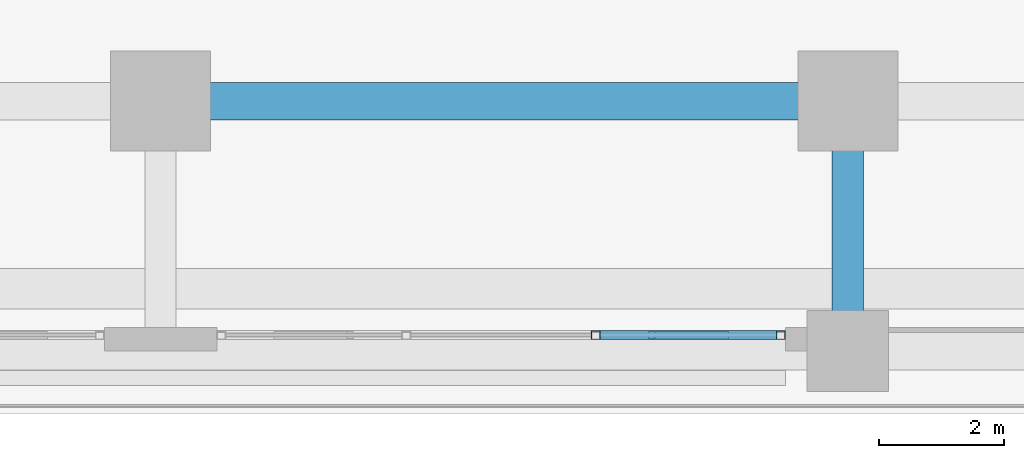
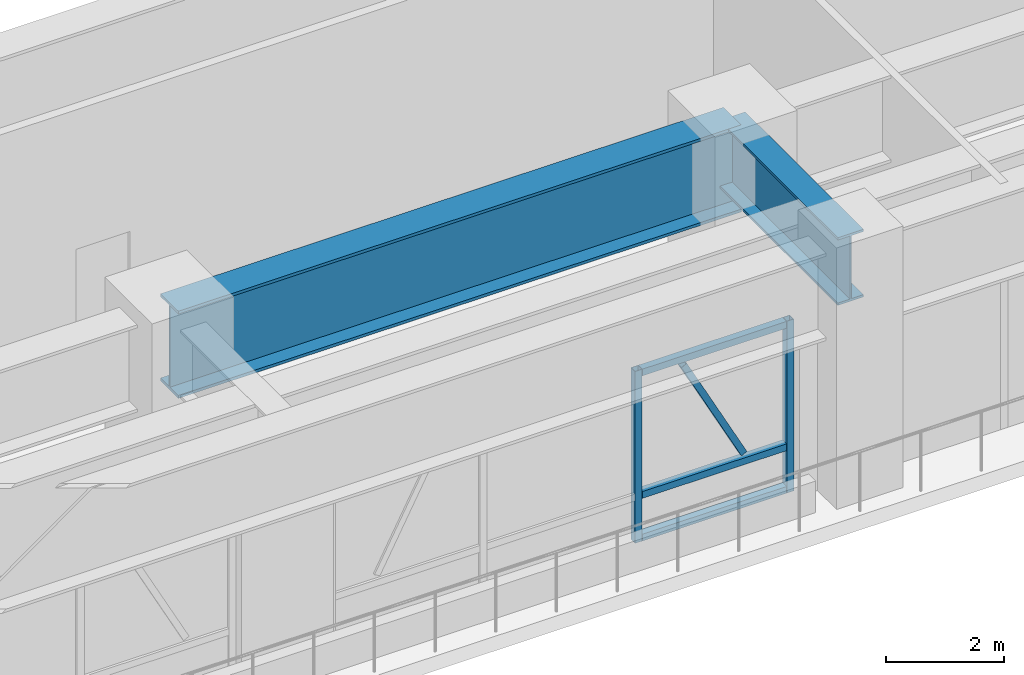
# One storey, part 8 of 28: 6 members, 2 beams, 1 element without a shape of its own.
"""IFC4 building model written with IfcOpenShell, lengths in metres."""

import ifcopenshell
import ifcopenshell.guid

model = None  # the IFC model being written
_history = None  # IfcOwnerHistory: only IFC2X3 demands one
_inside = {}  # id of a spatial element -> (the spatial element, [elements in it])
_under = {}  # id of a project, library or spatial element -> (it, [spatial elements below it])
_declared = {}  # id of a project -> (the project, [libraries it declares])
_typed = {}  # id of a type object -> (the type object, [elements of that type])
_made_of = {}  # id of a material, layer set ... -> (it, [elements and type objects made of it])


def new_model(schema):
    """Start an empty IFC model of exactly this schema.

    Asked for "IFC4X3", IfcOpenShell would pick the latest addendum, in which some entities
    have other attributes; the version numbers below select the first issue.
    IFC2X3 requires an IfcOwnerHistory on every rooted entity: one is made here for all.
    """
    global model, _history
    if schema == "IFC4X3":
        model = ifcopenshell.file(schema_version=(4, 3, 0, 0))
    else:
        model = ifcopenshell.file(schema=schema)
    _inside.clear()
    _under.clear()
    _declared.clear()
    _typed.clear()
    _made_of.clear()
    _history = None
    if model.schema == "IFC2X3":
        org = make("IfcOrganization", Name="unknown")
        user = make(
            "IfcPersonAndOrganization",
            ThePerson=make("IfcPerson", FamilyName="unknown"),
            TheOrganization=org,
        )
        app = make(
            "IfcApplication",
            ApplicationDeveloper=org,
            Version="unknown",
            ApplicationFullName="unknown",
            ApplicationIdentifier="unknown",
        )
        _history = make(
            "IfcOwnerHistory",
            OwningUser=user,
            OwningApplication=app,
            ChangeAction="ADDED",
            CreationDate=0,
        )
    return model


def make(cls, **values):
    """One entity of the class cls with the attributes given. An attribute that is None is left unset."""
    return model.create_entity(
        cls, **{name: value for name, value in values.items() if value is not None}
    )


def rooted(cls, **values):
    """An entity with a GlobalId (a new one), such as an element, a storey or a relation."""
    return make(cls, GlobalId=ifcopenshell.guid.new(), OwnerHistory=_history, **values)


def si_unit(unit_type, name, prefix=None):
    """IfcSIUnit, for example si_unit("LENGTHUNIT", "METRE", prefix="MILLI")."""
    return make("IfcSIUnit", UnitType=unit_type, Prefix=prefix, Name=name)


def assignment(units):
    """IfcUnitAssignment: the units of a project."""
    return None if units is None else make("IfcUnitAssignment", Units=units)


def point(xyz):
    """IfcCartesianPoint."""
    return None if xyz is None else make("IfcCartesianPoint", Coordinates=xyz)


def direction(xyz):
    """IfcDirection."""
    return None if xyz is None else make("IfcDirection", DirectionRatios=xyz)


def frame(location, z_axis=None, x_axis=None):
    """IfcAxis2Placement3D, a coordinate frame: its origin and axes. An axis left out is left unset."""
    return make(
        "IfcAxis2Placement3D",
        Location=point(location),
        Axis=direction(z_axis),
        RefDirection=direction(x_axis),
    )


def frame_2d(location, x_axis=None):
    """IfcAxis2Placement2D, a coordinate frame in the plane: its origin and x axis."""
    return make(
        "IfcAxis2Placement2D", Location=point(location), RefDirection=direction(x_axis)
    )


def origin():
    """The frame at (0, 0, 0) with its axes left unset."""
    return frame((0.0, 0.0, 0.0))


def origin_2d():
    """The frame at (0, 0) in the plane with its x axis left unset."""
    return frame_2d((0.0, 0.0))


def place(relative_to, where):
    """IfcLocalPlacement: puts the frame where relative to a parent placement (None: the world)."""
    return make(
        "IfcLocalPlacement", PlacementRelTo=relative_to, RelativePlacement=where
    )


def context(
    kind, dimensions, precision=None, world=None, true_north=None, identifier=None
):
    """IfcGeometricRepresentationContext, for example the 3D "Model" context."""
    return make(
        "IfcGeometricRepresentationContext",
        ContextIdentifier=identifier,
        ContextType=kind,
        CoordinateSpaceDimension=dimensions,
        Precision=precision,
        WorldCoordinateSystem=world,
        TrueNorth=true_north,
    )


def subcontext(parent, identifier, kind, view, scale=None):
    """IfcGeometricRepresentationSubContext, for example "Body" below "Model"."""
    return make(
        "IfcGeometricRepresentationSubContext",
        ContextIdentifier=identifier,
        ContextType=kind,
        ParentContext=parent,
        TargetScale=scale,
        TargetView=view,
    )


def project(units=None, contexts=None):
    """IfcProject with its units and contexts."""
    return rooted(
        "IfcProject",
        Name="project",
        RepresentationContexts=contexts,
        UnitsInContext=assignment(units),
    )


def spatial(cls, under=None, at=None, **own):
    """A site, building, storey or space (cls), placed at a placement, below another one or the project."""
    s = rooted(cls, ObjectPlacement=at, **own)
    if under is not None:
        _under.setdefault(under.id(), (under, []))[1].append(s)
    return s


def profile(cls, at=None, kind="AREA", **sizes):
    """A parametric profile (cls). Its sizes go by their IFC names, for example OverallWidth=200.0."""
    return make(cls, ProfileType=kind, Position=at, **sizes)


def hollow_rectangle(**sizes):
    """IfcRectangleHollowProfileDef."""
    return profile("IfcRectangleHollowProfileDef", **sizes)


def i_section(**sizes):
    """IfcIShapeProfileDef."""
    return profile("IfcIShapeProfileDef", **sizes)


def extrude(swept, where, along, depth):
    """IfcExtrudedAreaSolid: the profile swept, set in the frame where, extruded along a direction by depth."""
    return make(
        "IfcExtrudedAreaSolid",
        SweptArea=swept,
        Position=where,
        ExtrudedDirection=direction(along),
        Depth=depth,
    )


def shape(context_of_items, identifier, shape_type, items):
    """IfcShapeRepresentation: the items that make up one representation, for example the "Body"."""
    return make(
        "IfcShapeRepresentation",
        ContextOfItems=context_of_items,
        RepresentationIdentifier=identifier,
        RepresentationType=shape_type,
        Items=items,
    )


def source(mapping_origin, context_of_items, identifier, shape_type, items):
    """IfcRepresentationMap: a shape defined once, which mapped items show again and again."""
    return make(
        "IfcRepresentationMap",
        MappingOrigin=mapping_origin,
        MappedRepresentation=shape(context_of_items, identifier, shape_type, items),
    )


def transform(
    local_origin,
    x_axis=None,
    y_axis=None,
    z_axis=None,
    scale=None,
    scale2=None,
    scale3=None,
    uniform=True,
):
    """IfcCartesianTransformationOperator3D, or its non-uniform kind. x_axis, y_axis, z_axis: its Axis1, 2, 3."""
    if uniform:
        return make(
            "IfcCartesianTransformationOperator3D",
            Axis1=direction(x_axis),
            Axis2=direction(y_axis),
            LocalOrigin=point(local_origin),
            Scale=scale,
            Axis3=direction(z_axis),
        )
    return make(
        "IfcCartesianTransformationOperator3DnonUniform",
        Axis1=direction(x_axis),
        Axis2=direction(y_axis),
        LocalOrigin=point(local_origin),
        Scale=scale,
        Axis3=direction(z_axis),
        Scale2=scale2,
        Scale3=scale3,
    )


def mapped(mapping_source, mapping_target):
    """IfcMappedItem: shows the shape of a source again, moved by a transform."""
    return make(
        "IfcMappedItem", MappingSource=mapping_source, MappingTarget=mapping_target
    )


def material(Name=None, Category=None):
    """IfcMaterial."""
    return make("IfcMaterial", Name=Name, Category=Category)


def material_profile(
    of_material, cross_section, Name=None, Category=None, Priority=None
):
    """IfcMaterialProfile: a cross section and its material."""
    return make(
        "IfcMaterialProfile",
        Name=Name,
        Material=of_material,
        Profile=cross_section,
        Priority=Priority,
        Category=Category,
    )


def profile_set(profiles, Name=None, composite=None):
    """IfcMaterialProfileSet."""
    return make(
        "IfcMaterialProfileSet",
        Name=Name,
        MaterialProfiles=profiles,
        CompositeProfile=composite,
    )


def made_of(thing, what):
    """Note that an element or type object is made of a material, layer set ...; save() writes the relation."""
    if what is not None:
        _made_of.setdefault(what.id(), (what, []))[1].append(thing)
    return thing


def type_object(cls, material=None, **own):
    """A type object (cls), such as IfcWallType, which elements share."""
    return made_of(rooted(cls, **own), material)


def element(
    cls,
    number,
    at=None,
    inside=None,
    cuts=None,
    type_object=None,
    material=None,
    context=None,
    identifier="Body",
    shape_type=None,
    held_by="IfcProductDefinitionShape",
    body=None,
    shapes=None,
    **own,
):
    """One element of the class cls, such as IfcWall. Its Tag is "e" and its number.

    at: its placement. inside: the storey or other place that contains it. cuts: it is an
    opening in that element (IfcRelVoidsElement). A single representation is given by context,
    identifier, shape_type and body (its items); several are given by shapes. held_by: the class
    of the entity that holds the representations. save() writes the other relations.
    """
    e = rooted(cls, Tag="e%d" % number, ObjectPlacement=at, **own)
    if body is not None:
        shapes = [shape(context, identifier, shape_type, body)]
    if shapes is not None:
        e.Representation = make(held_by, Representations=shapes)
    if inside is not None:
        _inside.setdefault(inside.id(), (inside, []))[1].append(e)
    if cuts is not None:
        rooted(
            "IfcRelVoidsElement", RelatingBuildingElement=cuts, RelatedOpeningElement=e
        )
    if type_object is not None:
        _typed.setdefault(type_object.id(), (type_object, []))[1].append(e)
    return made_of(e, material)


def aggregate(whole, parts):
    """IfcRelAggregates: a whole, such as a stair, and the parts it consists of."""
    return rooted("IfcRelAggregates", RelatingObject=whole, RelatedObjects=parts)


def save(model, path):
    """Write the relations noted so far, then the file.

    IfcRelAggregates (storeys below a building ...), IfcRelContainedInSpatialStructure (elements
    in a storey), IfcRelDefinesByType, IfcRelAssociatesMaterial and IfcRelDeclares: one each for
    every whole, place, type object, material and project.
    """
    for whole, parts in _under.values():
        aggregate(whole, parts)
    for where, things in _inside.values():
        rooted(
            "IfcRelContainedInSpatialStructure",
            RelatedElements=things,
            RelatingStructure=where,
        )
    for kind, things in _typed.values():
        rooted("IfcRelDefinesByType", RelatedObjects=things, RelatingType=kind)
    for what, things in _made_of.values():
        rooted("IfcRelAssociatesMaterial", RelatedObjects=things, RelatingMaterial=what)
    for by, libraries in _declared.values():
        rooted("IfcRelDeclares", RelatingContext=by, RelatedDefinitions=libraries)
    model.write(path)


model = new_model("IFC4")

# Units and contexts
model_context = context("Model", 3, precision=1e-05, world=origin(), true_north=direction((0.0, 1.0)))
body_context = subcontext(model_context, "Body", "Model", "MODEL_VIEW")
ifc_project = project(units=[si_unit("LENGTHUNIT", "METRE"), si_unit("AREAUNIT", "SQUARE_METRE"), si_unit("VOLUMEUNIT", "CUBIC_METRE"), si_unit("PLANEANGLEUNIT", "RADIAN"), si_unit("MASSUNIT", "GRAM", prefix="KILO")], contexts=[model_context])

# Site, building, storey
site_placement = place(None, origin())
site = spatial("IfcSite", under=ifc_project, at=site_placement, CompositionType="ELEMENT")
building_placement = place(site_placement, origin())
building = spatial("IfcBuilding", under=site, at=building_placement, Name="Khorayat Bourse Tower", CompositionType="ELEMENT")
storey_placement = place(building_placement, frame((0.0, 0.0, 12.0)))
storey = spatial("IfcBuildingStorey", under=building, at=storey_placement, Name="L02", CompositionType="ELEMENT", Elevation=12.0)

# Beams
ifc_material_1 = material(Name="Steel EN 10025-4 S460M", Category="steel")
ifc_material_profile_1 = material_profile(ifc_material_1, i_section(OverallWidth=0.60009765625, OverallDepth=1.800048828125, WebThickness=0.031982421875, FlangeThickness=0.06005859375, at=origin_2d()), Name="PG 1800x600x32x60")
ifc_profile_set_1 = profile_set([ifc_material_profile_1], Name="Steel EN 10025-4 S460M")
beam_type_1 = type_object("IfcBeamType", Name="BM-TR-1800", PredefinedType="BEAM", material=ifc_profile_set_1)
shared_shape_1 = source(origin(), body_context, "Body", "SweptSolid", [
    extrude(i_section(OverallWidth=0.60009765625, OverallDepth=1.800048828125, WebThickness=0.031982421875, FlangeThickness=0.06005859375, at=origin_2d()), origin(), (0.0, 0.0, 1.0), 11.0),
])
beam_1_placement = place(storey_placement, frame((0.0, -32.0, 4.179931640625), z_axis=(1.0, 0.0, 0.0), x_axis=(0.0, 1.0, 0.0)))
element("IfcBeam", 1, at=beam_1_placement, inside=storey, type_object=beam_type_1, Name="L02 BM-TR-1800 BM-L02-PGX-040", PredefinedType="BEAM", context=body_context, shape_type="MappedRepresentation", body=[
    mapped(shared_shape_1, transform((0.0, 0.0, 0.0), scale=1.0)),
])
ifc_material_profile_2 = material_profile(ifc_material_1, i_section(OverallWidth=0.5, OverallDepth=1.39990234375, WebThickness=0.02490234375, FlangeThickness=0.050048828125, at=origin_2d()), Name="PG 1400x500x25x50")
ifc_profile_set_2 = profile_set([ifc_material_profile_2], Name="Steel EN 10025-4 S460M")
beam_type_2 = type_object("IfcBeamType", Name="BM-TR-1400", PredefinedType="BEAM", material=ifc_profile_set_2)
shared_shape_2 = source(origin(), body_context, "Body", "SweptSolid", [
    extrude(i_section(OverallWidth=0.5, OverallDepth=1.39990234375, WebThickness=0.02490234375, FlangeThickness=0.050048828125, at=origin_2d()), origin(), (0.0, 0.0, 1.0), 4.0),
])
beam_2_placement = place(storey_placement, frame((11.0, -36.0, 4.3798828125), z_axis=(0.0, 1.0, 0.0), x_axis=(-1.0, 0.0, 0.0)))
element("IfcBeam", 2, at=beam_2_placement, inside=storey, type_object=beam_type_2, Name="L02 BM-TR-1400 BM-L02-PGY-133", PredefinedType="BEAM", context=body_context, shape_type="MappedRepresentation", body=[
    mapped(shared_shape_2, transform((0.0, 0.0, 0.0), scale=1.0)),
])

# Curtain wall, members
ifc_material_2 = material(Name="Aluminium EN AW-6063 T6", Category="aluminium")
curtain_wall_type = type_object("IfcCurtainWallType", Name="CW-SYS-01", PredefinedType="NOTDEFINED", material=ifc_material_2)
curtain_wall_placement = place(storey_placement, origin())
curtain_wall = element("IfcCurtainWall", 3, at=curtain_wall_placement, inside=storey, type_object=curtain_wall_type, Name="L02 Curtain Wall CW-L02-SE", PredefinedType="NOTDEFINED")
ifc_material_profile_3 = material_profile(ifc_material_2, hollow_rectangle(XDim=0.139892578125, YDim=0.139892578125, WallThickness=0.006103515625, at=origin_2d()), Name="ALU 140x140x6")
ifc_profile_set_3 = profile_set([ifc_material_profile_3], Name="Aluminium EN AW-6063 T6")
member_type_1 = type_object("IfcMemberType", Name="CWT-HORZ-140", PredefinedType="USERDEFINED", material=ifc_profile_set_3)
shared_shape_3 = source(origin(), body_context, "Body", "SweptSolid", [
    extrude(hollow_rectangle(XDim=0.139892578125, YDim=0.139892578125, WallThickness=0.006103515625, at=origin_2d()), origin(), (0.0, 0.0, 1.0), 2.823486328125),
])
member_1_placement = place(storey_placement, frame((7.03662109375, -35.742919921875, 0.070068359375), z_axis=(1.0, 0.0, 0.0), x_axis=(0.0, 1.0, 0.0)))
member_1 = element("IfcMember", 4, at=member_1_placement, type_object=member_type_1, Name="CW-L02-SE Horizontal Transom 3-1", ObjectType="TRANSOM", PredefinedType="USERDEFINED", context=body_context, shape_type="MappedRepresentation", body=[
    mapped(shared_shape_3, transform((0.0, 0.0, 0.0), scale=1.0)),
])
member_2_placement = place(storey_placement, frame((7.03662109375, -35.742919921875, 0.949951171875), z_axis=(1.0, 0.0, 0.0), x_axis=(0.0, 1.0, 0.0)))
member_2 = element("IfcMember", 5, at=member_2_placement, type_object=member_type_1, Name="CW-L02-SE Horizontal Transom 3-2", ObjectType="TRANSOM", PredefinedType="USERDEFINED", context=body_context, shape_type="MappedRepresentation", body=[
    mapped(shared_shape_3, transform((0.0, 0.0, 0.0), scale=1.0)),
])
member_3_placement = place(storey_placement, frame((7.03662109375, -35.742919921875, 3.47998046875), z_axis=(1.0, 0.0, 0.0), x_axis=(0.0, 1.0, 0.0)))
member_3 = element("IfcMember", 6, at=member_3_placement, type_object=member_type_1, Name="CW-L02-SE Horizontal Transom 3-3", ObjectType="TRANSOM", PredefinedType="USERDEFINED", context=body_context, shape_type="MappedRepresentation", body=[
    mapped(shared_shape_3, transform((0.0, 0.0, 0.0), scale=1.0)),
])
ifc_material_profile_4 = material_profile(ifc_material_2, hollow_rectangle(XDim=0.1201171875, YDim=0.1201171875, WallThickness=0.0048828125, at=origin_2d()), Name="ALU 120x120x5")
ifc_profile_set_4 = profile_set([ifc_material_profile_4], Name="Aluminium EN AW-6063 T6")
member_type_2 = type_object("IfcMemberType", Name="CWM-DIAG-120", PredefinedType="MULLION", material=ifc_profile_set_4)
shared_shape_4 = source(origin(), body_context, "Body", "SweptSolid", [
    extrude(hollow_rectangle(XDim=0.1201171875, YDim=0.1201171875, WallThickness=0.0048828125, at=origin_2d()), origin(), (0.0, 0.0, 1.0), 2.52001953125),
])
member_4_placement = place(storey_placement, frame((9.03515625, -35.742919921875, 1.10009765625), z_axis=(-0.465718481425, 0.0, 0.884932933085), x_axis=(0.0, -1.0, 0.0)))
member_4 = element("IfcMember", 7, at=member_4_placement, type_object=member_type_2, Name="CW-L02-SE Faceted Diagonal Mullion 3", PredefinedType="MULLION", context=body_context, shape_type="MappedRepresentation", body=[
    mapped(shared_shape_4, transform((0.0, 0.0, 0.0), scale=1.0)),
])
ifc_material_profile_5 = material_profile(ifc_material_2, hollow_rectangle(XDim=0.139892578125, YDim=0.139892578125, WallThickness=0.006103515625, at=origin_2d()), Name="ALU 140x140x6")
ifc_profile_set_5 = profile_set([ifc_material_profile_5], Name="Aluminium EN AW-6063 T6")
member_type_3 = type_object("IfcMemberType", Name="CWM-VERT-140", PredefinedType="MULLION", material=ifc_profile_set_5)
shared_shape_5 = source(origin(), body_context, "Body", "SweptSolid", [
    extrude(hollow_rectangle(XDim=0.139892578125, YDim=0.139892578125, WallThickness=0.006103515625, at=origin_2d()), origin(), (0.0, 0.0, 1.0), 3.550048828125),
])
member_5_placement = place(storey_placement, frame((6.966552734375, -35.742919921875, 0.0), z_axis=(0.0, 0.0, 1.0), x_axis=(0.0, 1.0, 0.0)))
member_5 = element("IfcMember", 8, at=member_5_placement, type_object=member_type_3, Name="CW-L02-SE Vertical Mullion 3", PredefinedType="MULLION", context=body_context, shape_type="MappedRepresentation", body=[
    mapped(shared_shape_5, transform((0.0, 0.0, 0.0), scale=1.0)),
])
member_6_placement = place(storey_placement, frame((9.929931640625, -35.742919921875, 0.0), z_axis=(0.0, 0.0, 1.0), x_axis=(0.0, 1.0, 0.0)))
member_6 = element("IfcMember", 9, at=member_6_placement, type_object=member_type_3, Name="CW-L02-SE Vertical Mullion 4", PredefinedType="MULLION", context=body_context, shape_type="MappedRepresentation", body=[
    mapped(shared_shape_5, transform((0.0, 0.0, 0.0), scale=1.0)),
])
aggregate(curtain_wall, [member_5, member_6, member_1, member_2, member_3, member_4])

save(model, "model.ifc")
